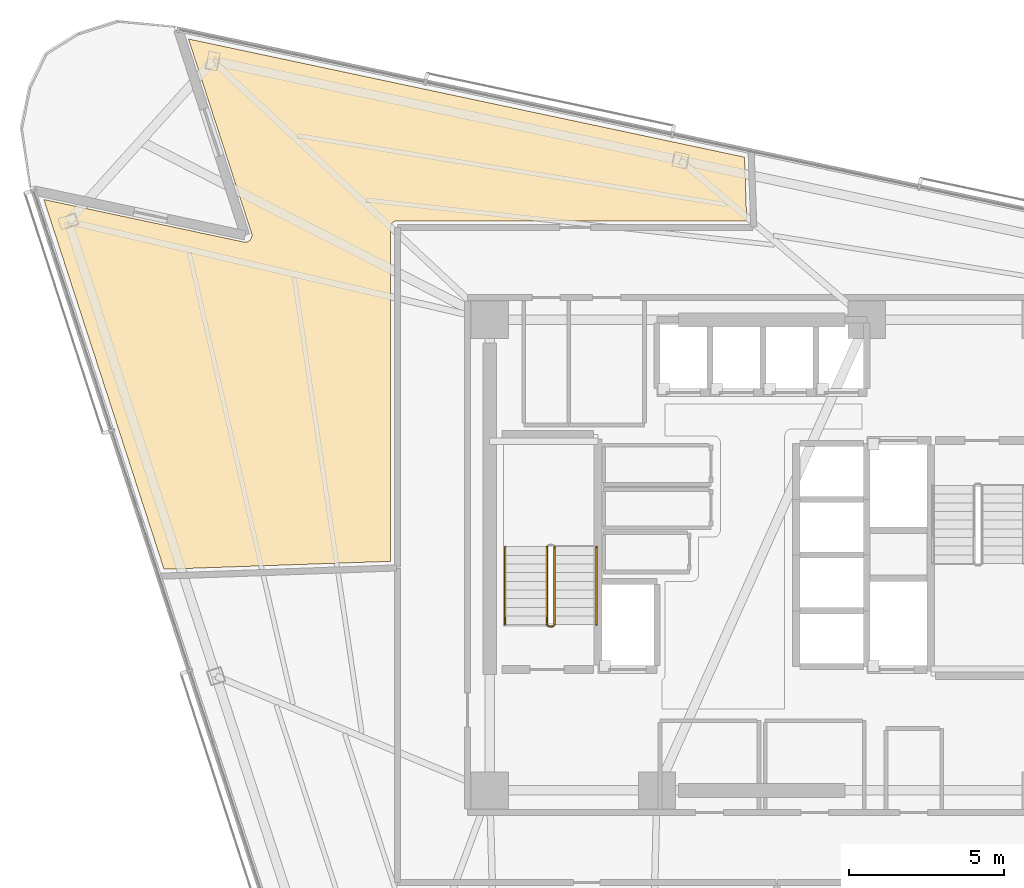
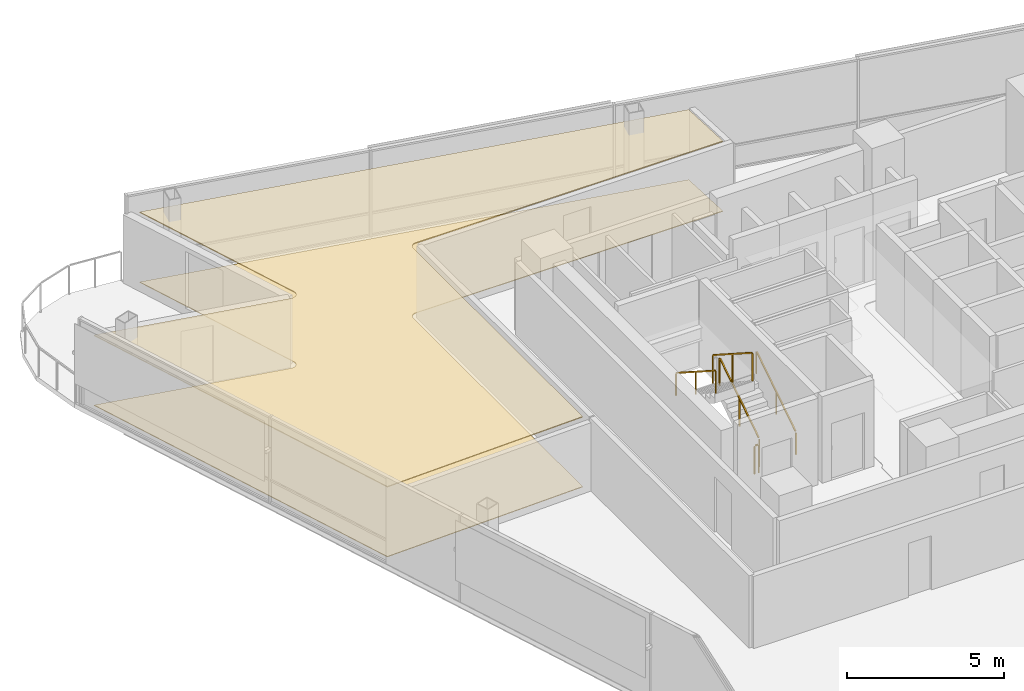
# One storey, part 15 of 17: 5 railings, 2 coverings.
"""IFC4 building model written with IfcOpenShell, lengths in metres."""

from ifc_helpers import new_model, si_unit, direction, frame, origin, origin_2d, place, context, subcontext, project, spatial, polyline, rectangle, outline, extrude, material, layer, layer_set, type_object, element, save


model = new_model("IFC4")

# Units and contexts
model_context = context("Model", 3, precision=1e-05, world=origin(), true_north=direction((0.0, 1.0)))
body_context = subcontext(model_context, "Body", "Model", "MODEL_VIEW")
ifc_project = project(units=[si_unit("LENGTHUNIT", "METRE"), si_unit("AREAUNIT", "SQUARE_METRE"), si_unit("VOLUMEUNIT", "CUBIC_METRE"), si_unit("PLANEANGLEUNIT", "RADIAN"), si_unit("MASSUNIT", "GRAM", prefix="KILO")], contexts=[model_context])

# Site, building, storey
site_placement = place(None, origin())
site = spatial("IfcSite", under=ifc_project, at=site_placement, CompositionType="ELEMENT")
building_placement = place(site_placement, origin())
building = spatial("IfcBuilding", under=site, at=building_placement, Name="Tharavind Bronze Gate", CompositionType="ELEMENT")
storey_placement = place(building_placement, frame((0.0, 0.0, 218.449951171875)))
storey = spatial("IfcBuildingStorey", under=building, at=storey_placement, Name="L56", CompositionType="ELEMENT", Elevation=218.449951171875)

# Coverings
ifc_material_1 = material(Name="Engineered Oak & Carpet Tile", Category="wood")
ifc_layer_1 = layer(ifc_material_1, 0.02490234375)
ifc_layer_set_1 = layer_set([ifc_layer_1], Name="Engineered Oak & Carpet Tile")
covering_type_1 = type_object("IfcCoveringType", Name="ENGINEERED TIMBER FLOORING", PredefinedType="FLOORING", material=ifc_layer_set_1)
covering_1_placement = place(storey_placement, origin())
element("IfcCovering", 1, at=covering_1_placement, inside=storey, type_object=covering_type_1, Name="L56-RM-02 floor finish", PredefinedType="FLOORING", context=body_context, shape_type="SweptSolid", body=[
    extrude(outline(polyline([(-19.42236328125, -0.4580078125), (-12.10009765625, -0.202392578125), (-12.10009765625, 10.579345703125), (-12.099609375, 10.590087890625), (-12.099609375, 10.5908203125), (-12.09765625, 10.6123046875), (-12.093505859375, 10.63330078125), (-12.087158203125, 10.654052734375), (-12.078857421875, 10.674072265625), (-12.068603515625, 10.693115234375), (-12.056640625, 10.7109375), (-12.04296875, 10.727783203125), (-12.027587890625, 10.742919921875), (-12.010986328125, 10.756591796875), (-11.9931640625, 10.768798828125), (-11.97412109375, 10.77880859375), (-11.9541015625, 10.787109375), (-11.933349609375, 10.79345703125), (-11.912353515625, 10.797607421875), (-11.890869140625, 10.7998046875), (-11.89013671875, 10.7998046875), (-11.87939453125, 10.800048828125), (-0.597412109375, 10.800048828125), (-0.6689453125, 12.85498046875), (-18.6328125, 16.673095703125), (-16.59375, 10.39794921875), (-16.590576171875, 10.387451171875), (-16.59033203125, 10.38671875), (-16.585693359375, 10.365478515625), (-16.583251953125, 10.343505859375), (-16.5830078125, 10.32177734375), (-16.584716796875, 10.2998046875), (-16.5888671875, 10.2783203125), (-16.594970703125, 10.257080078125), (-16.60302734375, 10.23681640625), (-16.61328125, 10.21728515625), (-16.62548828125, 10.19921875), (-16.63916015625, 10.18212890625), (-16.65478515625, 10.16650390625), (-16.671630859375, 10.152587890625), (-16.68994140625, 10.140380859375), (-16.709228515625, 10.130126953125), (-16.7294921875, 10.121826171875), (-16.75048828125, 10.115478515625), (-16.772216796875, 10.111572265625), (-16.7939453125, 10.109619140625), (-16.81591796875, 10.109619140625), (-16.837646484375, 10.112060546875), (-16.83837890625, 10.1123046875), (-16.84912109375, 10.1142578125), (-23.30322265625, 11.486083984375), (-19.42236328125, -0.4580078125)])), origin(), (0.0, 0.0, 1.0), 0.025146484375),
])
ifc_material_2 = material(Name="Acoustic Gypsum Board", Category="gypsum")
ifc_layer_2 = layer(ifc_material_2, 0.030029296875)
ifc_layer_set_2 = layer_set([ifc_layer_2], Name="Acoustic Gypsum Board")
covering_type_2 = type_object("IfcCoveringType", Name="GYPSUM SUSPENDED CEILING", PredefinedType="CEILING", material=ifc_layer_set_2)
covering_2_placement = place(storey_placement, frame((0.0, 0.0, 2.7099609375)))
element("IfcCovering", 2, at=covering_2_placement, inside=storey, type_object=covering_type_2, Name="L56-RM-02 suspended ceiling", PredefinedType="CEILING", context=body_context, shape_type="SweptSolid", body=[
    extrude(outline(polyline([(-19.42236328125, -0.4580078125), (-12.10009765625, -0.202392578125), (-12.10009765625, 10.579345703125), (-12.099609375, 10.590087890625), (-12.099609375, 10.5908203125), (-12.09765625, 10.6123046875), (-12.093505859375, 10.63330078125), (-12.087158203125, 10.654052734375), (-12.078857421875, 10.674072265625), (-12.068603515625, 10.693115234375), (-12.056640625, 10.7109375), (-12.04296875, 10.727783203125), (-12.027587890625, 10.742919921875), (-12.010986328125, 10.756591796875), (-11.9931640625, 10.768798828125), (-11.97412109375, 10.77880859375), (-11.9541015625, 10.787109375), (-11.933349609375, 10.79345703125), (-11.912353515625, 10.797607421875), (-11.890869140625, 10.7998046875), (-11.89013671875, 10.7998046875), (-11.87939453125, 10.800048828125), (-0.597412109375, 10.800048828125), (-0.6689453125, 12.85498046875), (-18.6328125, 16.673095703125), (-16.59375, 10.39794921875), (-16.590576171875, 10.387451171875), (-16.59033203125, 10.38671875), (-16.585693359375, 10.365478515625), (-16.583251953125, 10.343505859375), (-16.5830078125, 10.32177734375), (-16.584716796875, 10.2998046875), (-16.5888671875, 10.2783203125), (-16.594970703125, 10.257080078125), (-16.60302734375, 10.23681640625), (-16.61328125, 10.21728515625), (-16.62548828125, 10.19921875), (-16.63916015625, 10.18212890625), (-16.65478515625, 10.16650390625), (-16.671630859375, 10.152587890625), (-16.68994140625, 10.140380859375), (-16.709228515625, 10.130126953125), (-16.7294921875, 10.121826171875), (-16.75048828125, 10.115478515625), (-16.772216796875, 10.111572265625), (-16.7939453125, 10.109619140625), (-16.81591796875, 10.109619140625), (-16.837646484375, 10.112060546875), (-16.83837890625, 10.1123046875), (-16.84912109375, 10.1142578125), (-23.30322265625, 11.486083984375), (-19.42236328125, -0.4580078125)])), origin(), (0.0, 0.0, 1.0), 0.03515625),
])

# Railings
ifc_material_3 = material(Name="Brushed Bronze Alloy", Category="metal")
railing_type_1 = type_object("IfcRailingType", Name="STAIR BRONZE HANDRAIL 900", PredefinedType="HANDRAIL", material=ifc_material_3)
railing_1_placement = place(storey_placement, frame((-5.449951171875, -2.25, 0.179931640625)))
element("IfcRailing", 3, at=railing_1_placement, inside=storey, type_object=railing_type_1, Name="L56 ST1 stair handrail 1", PredefinedType="HANDRAIL", context=body_context, shape_type="SweptSolid", body=[
    extrude(rectangle(XDim=0.048095703125, YDim=0.048095703125, at=origin_2d()), frame((0.0, 0.02685546875, 0.89306640625), z_axis=(0.0, 0.841162588446, 0.540782303519), x_axis=(-1.0, 0.0, 0.0)), (0.0, 0.0, 1.0), 2.931884765625),
    extrude(rectangle(XDim=0.0400390625, YDim=0.0400390625, at=origin_2d()), origin(), (0.0, 0.0, 1.0), 0.847900390625),
    extrude(rectangle(XDim=0.0400390625, YDim=0.0400390625, at=origin_2d()), frame((0.0, 1.260009765625, 0.81005859375)), (0.0, 0.0, 1.0), 0.847900390625),
    extrude(rectangle(XDim=0.0400390625, YDim=0.0400390625, at=origin_2d()), frame((0.0, 2.52001953125, 1.6201171875)), (0.0, 0.0, 1.0), 0.847900390625),
])
railing_2_placement = place(storey_placement, frame((-8.39990234375, 0.27001953125, 1.97998046875)))
element("IfcRailing", 4, at=railing_2_placement, inside=storey, type_object=railing_type_1, Name="L56 ST1 stair handrail 2", PredefinedType="HANDRAIL", context=body_context, shape_type="SweptSolid", body=[
    extrude(rectangle(XDim=0.048095703125, YDim=0.048095703125, at=origin_2d()), frame((0.0, -0.02685546875, 0.89306640625), z_axis=(0.0, -0.841162588446, 0.540782303519), x_axis=(1.0, 0.0, 0.0)), (0.0, 0.0, 1.0), 2.931884765625),
    extrude(rectangle(XDim=0.0400390625, YDim=0.0400390625, at=origin_2d()), origin(), (0.0, 0.0, 1.0), 0.847900390625),
    extrude(rectangle(XDim=0.0400390625, YDim=0.0400390625, at=origin_2d()), frame((0.0, -1.260009765625, 0.81005859375)), (0.0, 0.0, 1.0), 0.847900390625),
    extrude(rectangle(XDim=0.0400390625, YDim=0.0400390625, at=origin_2d()), frame((0.0, -2.52001953125, 1.6201171875)), (0.0, 0.0, 1.0), 0.847900390625),
])
railing_type_2 = type_object("IfcRailingType", Name="STAIR WELL GUARD RAILING 1120", PredefinedType="GUARDRAIL", material=ifc_material_3)
railing_3_placement = place(storey_placement, frame((-6.800048828125, -2.25, 0.179931640625)))
element("IfcRailing", 5, at=railing_3_placement, inside=storey, type_object=railing_type_2, Name="L56 ST1 stair guard 1", PredefinedType="GUARDRAIL", context=body_context, shape_type="SweptSolid", body=[
    extrude(rectangle(XDim=0.048095703125, YDim=0.048095703125, at=origin_2d()), frame((0.0, 0.02685546875, 1.11328125), z_axis=(0.0, 0.841162588446, 0.540782303519), x_axis=(-1.0, 0.0, 0.0)), (0.0, 0.0, 1.0), 2.931884765625),
    extrude(rectangle(XDim=0.0400390625, YDim=0.0400390625, at=origin_2d()), origin(), (0.0, 0.0, 1.0), 1.068115234375),
    extrude(rectangle(XDim=0.0400390625, YDim=0.0400390625, at=origin_2d()), frame((0.0, 1.260009765625, 0.81005859375)), (0.0, 0.0, 1.0), 1.068115234375),
    extrude(rectangle(XDim=0.0400390625, YDim=0.0400390625, at=origin_2d()), frame((0.0, 2.52001953125, 1.6201171875)), (0.0, 0.0, 1.0), 1.068115234375),
])
railing_4_placement = place(storey_placement, frame((-7.050048828125, 0.27001953125, 1.97998046875)))
element("IfcRailing", 6, at=railing_4_placement, inside=storey, type_object=railing_type_2, Name="L56 ST1 stair guard 3", PredefinedType="GUARDRAIL", context=body_context, shape_type="SweptSolid", body=[
    extrude(rectangle(XDim=0.048095703125, YDim=0.048095703125, at=origin_2d()), frame((0.0, -0.02685546875, 1.11328125), z_axis=(0.0, -0.841162588446, 0.540782303519), x_axis=(1.0, 0.0, 0.0)), (0.0, 0.0, 1.0), 2.931884765625),
    extrude(rectangle(XDim=0.0400390625, YDim=0.0400390625, at=origin_2d()), origin(), (0.0, 0.0, 1.0), 1.068115234375),
    extrude(rectangle(XDim=0.0400390625, YDim=0.0400390625, at=origin_2d()), frame((0.0, -1.260009765625, 0.81005859375)), (0.0, 0.0, 1.0), 1.068115234375),
    extrude(rectangle(XDim=0.0400390625, YDim=0.0400390625, at=origin_2d()), frame((0.0, -2.52001953125, 1.6201171875)), (0.0, 0.0, 1.0), 1.068115234375),
])
railing_5_placement = place(storey_placement, frame((-6.85009765625, -2.300048828125, 0.0)))
element("IfcRailing", 7, at=railing_5_placement, inside=storey, type_object=railing_type_2, Name="L56 ST1 stair guard 4", PredefinedType="GUARDRAIL", context=body_context, shape_type="SweptSolid", body=[
    extrude(rectangle(XDim=0.048095703125, YDim=0.048095703125, at=origin_2d()), frame((-0.031982421875, 0.0, 1.09619140625), z_axis=(-1.0, 0.0, 0.0), x_axis=(0.0, -1.0, 0.0)), (0.0, 0.0, 1.0), 0.0859375),
    extrude(rectangle(XDim=0.0400390625, YDim=0.0400390625, at=origin_2d()), origin(), (0.0, 0.0, 1.0), 1.068115234375),
    extrude(rectangle(XDim=0.0400390625, YDim=0.0400390625, at=origin_2d()), frame((-0.14990234375, 0.0, 0.0)), (0.0, 0.0, 1.0), 1.068115234375),
])

save(model, "model.ifc")
